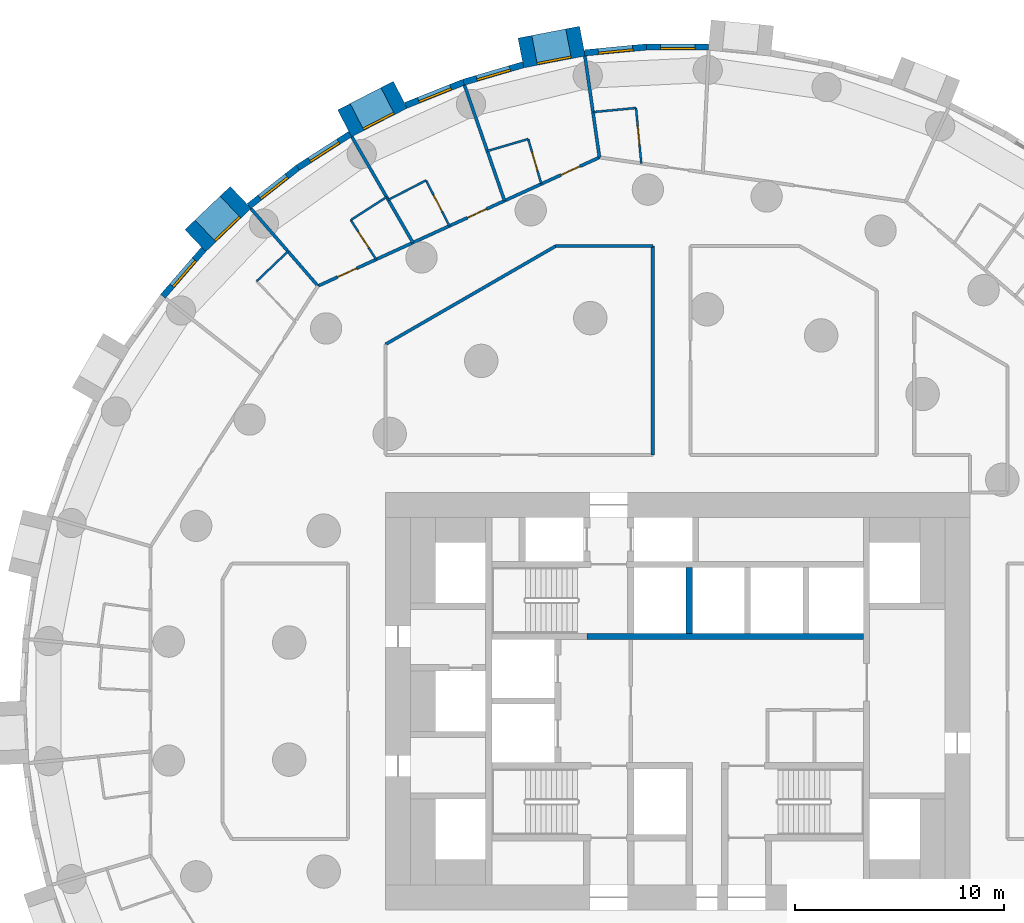
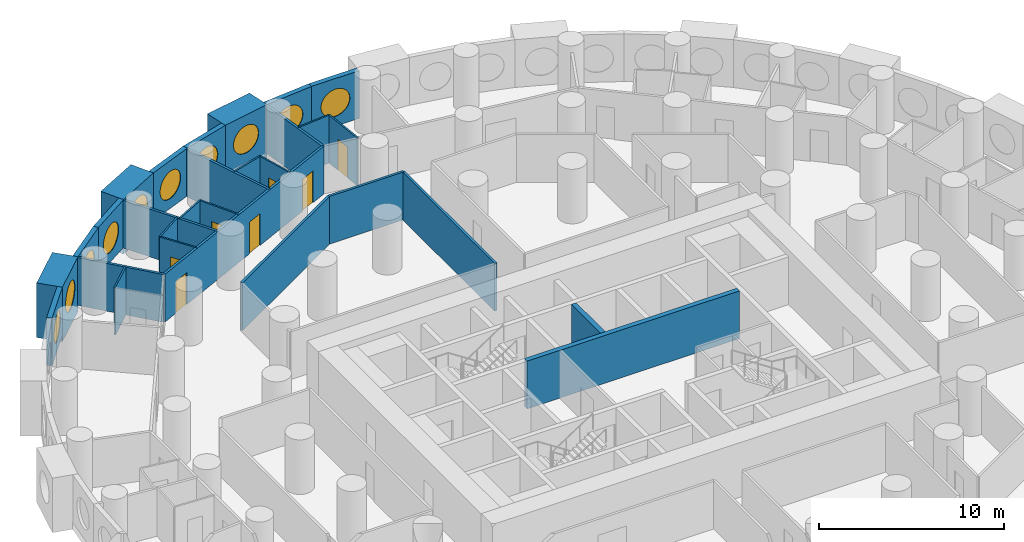
# One storey, part 8 of 12: 29 walls, 10 windows, 7 doors, 17 openings.
"""IFC4 building model written with IfcOpenShell, lengths in metres."""

from ifc_helpers import new_model, si_unit, direction, frame, frame_2d, origin, origin_2d, place, context, subcontext, project, spatial, rectangle, circle, extrude, material, layer, layer_set, type_object, element, fill, save


model = new_model("IFC4")

# Units and contexts
model_context = context("Model", 3, precision=1e-05, world=origin(), true_north=direction((0.0, 1.0)))
body_context = subcontext(model_context, "Body", "Model", "MODEL_VIEW")
ifc_project = project(units=[si_unit("LENGTHUNIT", "METRE"), si_unit("AREAUNIT", "SQUARE_METRE"), si_unit("VOLUMEUNIT", "CUBIC_METRE"), si_unit("PLANEANGLEUNIT", "RADIAN"), si_unit("MASSUNIT", "GRAM", prefix="KILO")], contexts=[model_context])

# Site, building, storey
site_placement = place(None, origin())
site = spatial("IfcSite", under=ifc_project, at=site_placement, CompositionType="ELEMENT")
building_placement = place(site_placement, origin())
building = spatial("IfcBuilding", under=site, at=building_placement, Name="Tracery Tower", CompositionType="ELEMENT")
storey_placement = place(building_placement, frame((0.0, 0.0, 35.39990234375)))
storey = spatial("IfcBuildingStorey", under=building, at=storey_placement, Name="L07", CompositionType="ELEMENT", Elevation=35.39990234375)

# Wall, opening, window
ifc_material_1 = material(Name="Precast concrete C50/60", Category="concrete")
ifc_layer_1 = layer(ifc_material_1, 1.449951171875)
ifc_layer_set_1 = layer_set([ifc_layer_1], Name="Deep-set bay unit 3000 x 3600, slab edge 450")
wall_type_1 = type_object("IfcWallType", Name="Deep-set bay unit 3000 x 3600, slab edge 450", PredefinedType="ELEMENTEDWALL", material=ifc_layer_set_1)
wall_1_placement = place(storey_placement, frame((-4.56689453125, 31.62109375, -0.449951171875), z_axis=(0.0, 0.0, 1.0), x_axis=(-0.981921602273, -0.189288052949, 0.0)))
wall_1 = element("IfcWall", 1, at=wall_1_placement, inside=storey, type_object=wall_type_1, Name="Deep-set bay unit 19 at L07", PredefinedType="ELEMENTEDWALL", context=body_context, shape_type="SweptSolid", body=[
    extrude(rectangle(XDim=3.0, YDim=1.449951171875, at=frame_2d((1.5, 0.0))), origin(), (0.0, 0.0, 1.0), 3.60009765625),
])
opening_1_placement = place(wall_1_placement, frame((1.5, 0.0, 2.0)))
opening_1 = element("IfcOpeningElement", 2, at=opening_1_placement, cuts=wall_1, Name="Opening WN1", PredefinedType="OPENING", context=body_context, shape_type="SweptSolid", body=[
    extrude(circle(Radius=0.9000244140625, at=origin_2d()), frame((0.0, 0.73486328125, 0.0), z_axis=(0.0, -1.0, 0.0), x_axis=(1.0, 0.0, 0.0)), (0.0, 0.0, 1.0), 1.469970703125),
])
ifc_material_2 = material(Name="Aluminium frame with tinted double glazing", Category="aluminium")
window_type = type_object("IfcWindowType", Name="Round window 1800", PartitioningType="SINGLE_PANEL", PredefinedType="WINDOW", material=ifc_material_2)
window_1_placement = place(opening_1_placement, origin())
window_1 = element("IfcWindow", 3, at=window_1_placement, inside=storey, type_object=window_type, Name="Round window 19 at L07", OverallHeight=1.800048828125, OverallWidth=1.800048828125, PartitioningType="SINGLE_PANEL", PredefinedType="WINDOW", context=body_context, shape_type="SweptSolid", body=[
    extrude(circle(Radius=0.9000244140625, at=origin_2d()), frame((0.0, 0.69482421875, 0.0), z_axis=(0.0, -1.0, 0.0), x_axis=(1.0, 0.0, 0.0)), (0.0, 0.0, 1.0), 0.10009765625),
])
fill(opening_1, window_1)

wall_2_placement = place(storey_placement, frame((-13.29052734375, 29.053466796875, -0.449951171875), z_axis=(0.0, 0.0, 1.0), x_axis=(-0.888858064689, -0.458182650083, 0.0)))
wall_2 = element("IfcWall", 4, at=wall_2_placement, inside=storey, type_object=wall_type_1, Name="Deep-set bay unit 22 at L07", PredefinedType="ELEMENTEDWALL", context=body_context, shape_type="SweptSolid", body=[
    extrude(rectangle(XDim=3.0, YDim=1.449951171875, at=frame_2d((1.5, 0.0))), origin(), (0.0, 0.0, 1.0), 3.60009765625),
])
opening_2_placement = place(wall_2_placement, frame((1.5, 0.0, 2.0)))
opening_2 = element("IfcOpeningElement", 5, at=opening_2_placement, cuts=wall_2, Name="Opening WN1", PredefinedType="OPENING", context=body_context, shape_type="SweptSolid", body=[
    extrude(circle(Radius=0.9000244140625, at=origin_2d()), frame((0.0, 0.73486328125, 0.0), z_axis=(0.0, -1.0, 0.0), x_axis=(1.0, 0.0, 0.0)), (0.0, 0.0, 1.0), 1.469970703125),
])
window_2_placement = place(opening_2_placement, origin())
window_2 = element("IfcWindow", 6, at=window_2_placement, inside=storey, type_object=window_type, Name="Round window 22 at L07", OverallHeight=1.800048828125, OverallWidth=1.800048828125, PartitioningType="SINGLE_PANEL", PredefinedType="WINDOW", context=body_context, shape_type="SweptSolid", body=[
    extrude(circle(Radius=0.9000244140625, at=origin_2d()), frame((0.0, 0.69482421875, 0.0), z_axis=(0.0, -1.0, 0.0), x_axis=(1.0, 0.0, 0.0)), (0.0, 0.0, 1.0), 0.10009765625),
])
fill(opening_2, window_2)

wall_3_placement = place(storey_placement, frame((-20.9375, 24.13232421875, -0.449951171875), z_axis=(0.0, 0.0, 1.0), x_axis=(-0.723712023899, -0.690102098579, 0.0)))
wall_3 = element("IfcWall", 7, at=wall_3_placement, inside=storey, type_object=wall_type_1, Name="Deep-set bay unit 25 at L07", PredefinedType="ELEMENTEDWALL", context=body_context, shape_type="SweptSolid", body=[
    extrude(rectangle(XDim=3.0, YDim=1.449951171875, at=frame_2d((1.5, 0.0))), origin(), (0.0, 0.0, 1.0), 3.60009765625),
])
opening_3_placement = place(wall_3_placement, frame((1.5, 0.0, 2.0)))
opening_3 = element("IfcOpeningElement", 8, at=opening_3_placement, cuts=wall_3, Name="Opening WN1", PredefinedType="OPENING", context=body_context, shape_type="SweptSolid", body=[
    extrude(circle(Radius=0.9000244140625, at=origin_2d()), frame((0.0, 0.73486328125, 0.0), z_axis=(0.0, -1.0, 0.0), x_axis=(1.0, 0.0, 0.0)), (0.0, 0.0, 1.0), 1.469970703125),
])
window_3_placement = place(opening_3_placement, origin())
window_3 = element("IfcWindow", 9, at=window_3_placement, inside=storey, type_object=window_type, Name="Round window 25 at L07", OverallHeight=1.800048828125, OverallWidth=1.800048828125, PartitioningType="SINGLE_PANEL", PredefinedType="WINDOW", context=body_context, shape_type="SweptSolid", body=[
    extrude(circle(Radius=0.9000244140625, at=origin_2d()), frame((0.0, 0.69482421875, 0.0), z_axis=(0.0, -1.0, 0.0), x_axis=(1.0, 0.0, 0.0)), (0.0, 0.0, 1.0), 0.10009765625),
])
fill(opening_3, window_3)

ifc_material_3 = material(Name="Precast concrete C50/60", Category="concrete")
ifc_layer_2 = layer(ifc_material_3, 0.300048828125)
ifc_layer_set_2 = layer_set([ifc_layer_2], Name="Facade panel 3000 x 3150")
wall_type_2 = type_object("IfcWallType", Name="Facade panel 3000 x 3150", PredefinedType="SOLIDWALL", material=ifc_layer_set_2)
wall_4_placement = place(storey_placement, frame((1.48681640625, 31.3388671875, 0.0), z_axis=(0.0, 0.0, 1.0), x_axis=(-1.0, 0.0, 0.0)))
wall_4 = element("IfcWall", 10, at=wall_4_placement, inside=storey, type_object=wall_type_2, Name="Facade panel 17 at L07", PredefinedType="SOLIDWALL", context=body_context, shape_type="SweptSolid", body=[
    extrude(rectangle(XDim=2.979736328125, YDim=0.300048828125, at=frame_2d((1.48974609375, 0.0))), origin(), (0.0, 0.0, 1.0), 3.150146484375),
])
opening_4_placement = place(wall_4_placement, frame((1.48974609375, 0.0, 1.5498046875)))
opening_4 = element("IfcOpeningElement", 11, at=opening_4_placement, cuts=wall_4, Name="Opening WN1", PredefinedType="OPENING", context=body_context, shape_type="SweptSolid", body=[
    extrude(circle(Radius=0.9000244140625, at=origin_2d()), frame((0.0, 0.159912109375, 0.0), z_axis=(0.0, -1.0, 0.0), x_axis=(1.0, 0.0, 0.0)), (0.0, 0.0, 1.0), 0.320068359375),
])
window_4_placement = place(opening_4_placement, origin())
window_4 = element("IfcWindow", 12, at=window_4_placement, inside=storey, type_object=window_type, Name="Round window 17 at L07", OverallHeight=1.800048828125, OverallWidth=1.800048828125, PartitioningType="SINGLE_PANEL", PredefinedType="WINDOW", context=body_context, shape_type="SweptSolid", body=[
    extrude(circle(Radius=0.9000244140625, at=origin_2d()), frame((0.0, 0.1201171875, 0.0), z_axis=(0.0, -1.0, 0.0), x_axis=(1.0, 0.0, 0.0)), (0.0, 0.0, 1.0), 0.10009765625),
])
fill(opening_4, window_4)

wall_5_placement = place(storey_placement, frame((-1.492919921875, 31.3388671875, 0.0), z_axis=(0.0, 0.0, 1.0), x_axis=(-0.995472611385, -0.095048829468, 0.0)))
wall_5 = element("IfcWall", 13, at=wall_5_placement, inside=storey, type_object=wall_type_2, Name="Facade panel 18 at L07", PredefinedType="SOLIDWALL", context=body_context, shape_type="SweptSolid", body=[
    extrude(rectangle(XDim=2.9794921875, YDim=0.300048828125, at=frame_2d((1.48974609375, 0.0))), origin(), (0.0, 0.0, 1.0), 3.150146484375),
])
opening_5_placement = place(wall_5_placement, frame((1.48974609375, 0.0, 1.5498046875)))
opening_5 = element("IfcOpeningElement", 14, at=opening_5_placement, cuts=wall_5, Name="Opening WN1", PredefinedType="OPENING", context=body_context, shape_type="SweptSolid", body=[
    extrude(circle(Radius=0.9000244140625, at=origin_2d()), frame((0.0, 0.159912109375, 0.0), z_axis=(0.0, -1.0, 0.0), x_axis=(1.0, 0.0, 0.0)), (0.0, 0.0, 1.0), 0.320068359375),
])
window_5_placement = place(opening_5_placement, origin())
window_5 = element("IfcWindow", 15, at=window_5_placement, inside=storey, type_object=window_type, Name="Round window 18 at L07", OverallHeight=1.800048828125, OverallWidth=1.800048828125, PartitioningType="SINGLE_PANEL", PredefinedType="WINDOW", context=body_context, shape_type="SweptSolid", body=[
    extrude(circle(Radius=0.9000244140625, at=origin_2d()), frame((0.0, 0.1201171875, 0.0), z_axis=(0.0, -1.0, 0.0), x_axis=(1.0, 0.0, 0.0)), (0.0, 0.0, 1.0), 0.10009765625),
])
fill(opening_5, window_5)

wall_6_placement = place(storey_placement, frame((-7.402587890625, 30.48828125, 0.0), z_axis=(0.0, 0.0, 1.0), x_axis=(-0.959501085144, -0.281704930036, 0.0)))
wall_6 = element("IfcWall", 16, at=wall_6_placement, inside=storey, type_object=wall_type_2, Name="Facade panel 20 at L07", PredefinedType="SOLIDWALL", context=body_context, shape_type="SweptSolid", body=[
    extrude(rectangle(XDim=2.9794921875, YDim=0.300048828125, at=frame_2d((1.48974609375, 0.0))), origin(), (0.0, 0.0, 1.0), 3.150146484375),
])
opening_6_placement = place(wall_6_placement, frame((1.48974609375, 0.0, 1.5498046875)))
opening_6 = element("IfcOpeningElement", 17, at=opening_6_placement, cuts=wall_6, Name="Opening WN1", PredefinedType="OPENING", context=body_context, shape_type="SweptSolid", body=[
    extrude(circle(Radius=0.9000244140625, at=origin_2d()), frame((0.0, 0.159912109375, 0.0), z_axis=(0.0, -1.0, 0.0), x_axis=(1.0, 0.0, 0.0)), (0.0, 0.0, 1.0), 0.320068359375),
])
window_6_placement = place(opening_6_placement, origin())
window_6 = element("IfcWindow", 18, at=window_6_placement, inside=storey, type_object=window_type, Name="Round window 20 at L07", OverallHeight=1.800048828125, OverallWidth=1.800048828125, PartitioningType="SINGLE_PANEL", PredefinedType="WINDOW", context=body_context, shape_type="SweptSolid", body=[
    extrude(circle(Radius=0.9000244140625, at=origin_2d()), frame((0.0, 0.1201171875, 0.0), z_axis=(0.0, -1.0, 0.0), x_axis=(1.0, 0.0, 0.0)), (0.0, 0.0, 1.0), 0.10009765625),
])
fill(opening_6, window_6)

wall_7_placement = place(storey_placement, frame((-10.261474609375, 29.64892578125, 0.0), z_axis=(0.0, 0.0, 1.0), x_axis=(-0.928374947, -0.371644935098, 0.0)))
wall_7 = element("IfcWall", 19, at=wall_7_placement, inside=storey, type_object=wall_type_2, Name="Facade panel 21 at L07", PredefinedType="SOLIDWALL", context=body_context, shape_type="SweptSolid", body=[
    extrude(rectangle(XDim=2.979736328125, YDim=0.300048828125, at=frame_2d((1.48974609375, 0.0))), origin(), (0.0, 0.0, 1.0), 3.150146484375),
])
opening_7_placement = place(wall_7_placement, frame((1.48974609375, 0.0, 1.5498046875)))
opening_7 = element("IfcOpeningElement", 20, at=opening_7_placement, cuts=wall_7, Name="Opening WN1", PredefinedType="OPENING", context=body_context, shape_type="SweptSolid", body=[
    extrude(circle(Radius=0.9000244140625, at=origin_2d()), frame((0.0, 0.159912109375, 0.0), z_axis=(0.0, -1.0, 0.0), x_axis=(1.0, 0.0, 0.0)), (0.0, 0.0, 1.0), 0.320068359375),
])
window_7_placement = place(opening_7_placement, origin())
window_7 = element("IfcWindow", 21, at=window_7_placement, inside=storey, type_object=window_type, Name="Round window 21 at L07", OverallHeight=1.800048828125, OverallWidth=1.800048828125, PartitioningType="SINGLE_PANEL", PredefinedType="WINDOW", context=body_context, shape_type="SweptSolid", body=[
    extrude(circle(Radius=0.9000244140625, at=origin_2d()), frame((0.0, 0.1201171875, 0.0), z_axis=(0.0, -1.0, 0.0), x_axis=(1.0, 0.0, 0.0)), (0.0, 0.0, 1.0), 0.10009765625),
])
fill(opening_7, window_7)

wall_8_placement = place(storey_placement, frame((-15.6923828125, 27.167724609375, 0.0), z_axis=(0.0, 0.0, 1.0), x_axis=(-0.841260995538, -0.54062920508, 0.0)))
wall_8 = element("IfcWall", 22, at=wall_8_placement, inside=storey, type_object=wall_type_2, Name="Facade panel 23 at L07", PredefinedType="SOLIDWALL", context=body_context, shape_type="SweptSolid", body=[
    extrude(rectangle(XDim=2.9794921875, YDim=0.300048828125, at=frame_2d((1.48974609375, 0.0))), origin(), (0.0, 0.0, 1.0), 3.150146484375),
])
opening_8_placement = place(wall_8_placement, frame((1.48974609375, 0.0, 1.5498046875)))
opening_8 = element("IfcOpeningElement", 23, at=opening_8_placement, cuts=wall_8, Name="Opening WN1", PredefinedType="OPENING", context=body_context, shape_type="SweptSolid", body=[
    extrude(circle(Radius=0.9000244140625, at=origin_2d()), frame((0.0, 0.159912109375, 0.0), z_axis=(0.0, -1.0, 0.0), x_axis=(1.0, 0.0, 0.0)), (0.0, 0.0, 1.0), 0.320068359375),
])
window_8_placement = place(opening_8_placement, origin())
window_8 = element("IfcWindow", 24, at=window_8_placement, inside=storey, type_object=window_type, Name="Round window 23 at L07", OverallHeight=1.800048828125, OverallWidth=1.800048828125, PartitioningType="SINGLE_PANEL", PredefinedType="WINDOW", context=body_context, shape_type="SweptSolid", body=[
    extrude(circle(Radius=0.9000244140625, at=origin_2d()), frame((0.0, 0.1201171875, 0.0), z_axis=(0.0, -1.0, 0.0), x_axis=(1.0, 0.0, 0.0)), (0.0, 0.0, 1.0), 0.10009765625),
])
fill(opening_8, window_8)

wall_9_placement = place(storey_placement, frame((-18.198974609375, 25.556884765625, 0.0), z_axis=(0.0, 0.0, 1.0), x_axis=(-0.786053834673, -0.618158045322, 0.0)))
wall_9 = element("IfcWall", 25, at=wall_9_placement, inside=storey, type_object=wall_type_2, Name="Facade panel 24 at L07", PredefinedType="SOLIDWALL", context=body_context, shape_type="SweptSolid", body=[
    extrude(rectangle(XDim=2.9794921875, YDim=0.300048828125, at=frame_2d((1.48974609375, 0.0))), origin(), (0.0, 0.0, 1.0), 3.150146484375),
])
opening_9_placement = place(wall_9_placement, frame((1.48974609375, 0.0, 1.5498046875)))
opening_9 = element("IfcOpeningElement", 26, at=opening_9_placement, cuts=wall_9, Name="Opening WN1", PredefinedType="OPENING", context=body_context, shape_type="SweptSolid", body=[
    extrude(circle(Radius=0.9000244140625, at=origin_2d()), frame((0.0, 0.159912109375, 0.0), z_axis=(0.0, -1.0, 0.0), x_axis=(1.0, 0.0, 0.0)), (0.0, 0.0, 1.0), 0.320068359375),
])
window_9_placement = place(opening_9_placement, origin())
window_9 = element("IfcWindow", 27, at=window_9_placement, inside=storey, type_object=window_type, Name="Round window 24 at L07", OverallHeight=1.800048828125, OverallWidth=1.800048828125, PartitioningType="SINGLE_PANEL", PredefinedType="WINDOW", context=body_context, shape_type="SweptSolid", body=[
    extrude(circle(Radius=0.9000244140625, at=origin_2d()), frame((0.0, 0.1201171875, 0.0), z_axis=(0.0, -1.0, 0.0), x_axis=(1.0, 0.0, 0.0)), (0.0, 0.0, 1.0), 0.10009765625),
])
fill(opening_9, window_9)

wall_10_placement = place(storey_placement, frame((-22.710693359375, 21.646240234375, 0.0), z_axis=(0.0, 0.0, 1.0), x_axis=(-0.654830712471, -0.755775587066, 0.0)))
wall_10 = element("IfcWall", 28, at=wall_10_placement, inside=storey, type_object=wall_type_2, Name="Facade panel 26 at L07", PredefinedType="SOLIDWALL", context=body_context, shape_type="SweptSolid", body=[
    extrude(rectangle(XDim=2.979736328125, YDim=0.300048828125, at=frame_2d((1.48974609375, 0.0))), origin(), (0.0, 0.0, 1.0), 3.150146484375),
])
opening_10_placement = place(wall_10_placement, frame((1.48974609375, 0.0, 1.5498046875)))
opening_10 = element("IfcOpeningElement", 29, at=opening_10_placement, cuts=wall_10, Name="Opening WN1", PredefinedType="OPENING", context=body_context, shape_type="SweptSolid", body=[
    extrude(circle(Radius=0.9000244140625, at=origin_2d()), frame((0.0, 0.159912109375, 0.0), z_axis=(0.0, -1.0, 0.0), x_axis=(1.0, 0.0, 0.0)), (0.0, 0.0, 1.0), 0.320068359375),
])
window_10_placement = place(opening_10_placement, origin())
window_10 = element("IfcWindow", 30, at=window_10_placement, inside=storey, type_object=window_type, Name="Round window 26 at L07", OverallHeight=1.800048828125, OverallWidth=1.800048828125, PartitioningType="SINGLE_PANEL", PredefinedType="WINDOW", context=body_context, shape_type="SweptSolid", body=[
    extrude(circle(Radius=0.9000244140625, at=origin_2d()), frame((0.0, 0.1201171875, 0.0), z_axis=(0.0, -1.0, 0.0), x_axis=(1.0, 0.0, 0.0)), (0.0, 0.0, 1.0), 0.10009765625),
])
fill(opening_10, window_10)

# Wall, opening, door
ifc_material_4 = material(Name="Plasterboard on steel studs", Category="steel")
ifc_layer_3 = layer(ifc_material_4, 0.10009765625)
ifc_layer_set_3 = layer_set([ifc_layer_3], Name="Partition 100 wet wall")
wall_type_3 = type_object("IfcWallType", Name="Partition 100 wet wall", PredefinedType="PARTITIONING", material=ifc_layer_set_3)
wall_11_placement = place(storey_placement, frame((-1.99609375, 28.41796875, 0.0), z_axis=(0.0, 0.0, 1.0), x_axis=(0.094925726797, -0.995484357683, 0.0)))
wall_11 = element("IfcWall", 31, at=wall_11_placement, inside=storey, type_object=wall_type_3, Name="Wet wall RA1-078", PredefinedType="PARTITIONING", context=body_context, shape_type="SweptSolid", body=[
    extrude(rectangle(XDim=2.6669921875, YDim=0.10009765625, at=frame_2d((1.33349609375, 0.0))), origin(), (0.0, 0.0, 1.0), 3.150146484375),
])
opening_11_placement = place(wall_11_placement, frame((0.883056640625, 0.0, 0.0)))
opening_11 = element("IfcOpeningElement", 32, at=opening_11_placement, cuts=wall_11, Name="Opening RA1-22", PredefinedType="OPENING", context=body_context, shape_type="SweptSolid", body=[
    extrude(rectangle(XDim=0.89990234375, YDim=2.0400390625, at=frame_2d((0.449951171875, 1.02001953125))), frame((0.0, 0.050048828125, 0.0), z_axis=(0.0, -1.0, 0.0), x_axis=(1.0, 0.0, 0.0)), (0.0, 0.0, 1.0), 0.10009765625),
])
ifc_material_5 = material(Name="Timber door leaf", Category="wood")
door_type_1 = type_object("IfcDoorType", Name="Door en-suite 900", OperationType="NOTDEFINED", PredefinedType="DOOR", material=ifc_material_5)
door_1_placement = place(opening_11_placement, origin())
door_1 = element("IfcDoor", 33, at=door_1_placement, inside=storey, type_object=door_type_1, Name="En-suite door RA1-22", OperationType="SINGLE_SWING_RIGHT", OverallHeight=2.0400390625, OverallWidth=0.89990234375, PredefinedType="DOOR", context=body_context, shape_type="SweptSolid", body=[
    extrude(rectangle(XDim=0.89990234375, YDim=2.0400390625, at=frame_2d((0.449951171875, 1.02001953125))), frame((0.0, 0.02490234375, 0.0), z_axis=(0.0, -1.0, 0.0), x_axis=(1.0, 0.0, 0.0)), (0.0, 0.0, 1.0), 0.050048828125),
])
fill(opening_11, door_1)

# Wall
wall_12_placement = place(storey_placement, frame((-4.05810546875, 28.220947265625, 0.0), z_axis=(0.0, 0.0, 1.0), x_axis=(0.995466291052, 0.095115000814, 0.0)))
element("IfcWall", 34, at=wall_12_placement, inside=storey, type_object=wall_type_3, Name="Wet wall RA1-079", PredefinedType="PARTITIONING", context=body_context, shape_type="SweptSolid", body=[
    extrude(rectangle(XDim=2.0712890625, YDim=0.10009765625, at=frame_2d((1.03564453125, 0.0))), origin(), (0.0, 0.0, 1.0), 3.150146484375),
])

# Wall, opening, door
wall_13_placement = place(storey_placement, frame((-7.1630859375, 26.929931640625, 0.0), z_axis=(0.0, 0.0, 1.0), x_axis=(0.281948165188, -0.959429638977, 0.0)))
wall_13 = element("IfcWall", 35, at=wall_13_placement, inside=storey, type_object=wall_type_3, Name="Wet wall RA1-081", PredefinedType="PARTITIONING", context=body_context, shape_type="SweptSolid", body=[
    extrude(rectangle(XDim=2.241943359375, YDim=0.10009765625, at=frame_2d((1.12109375, 0.0))), origin(), (0.0, 0.0, 1.0), 3.150146484375),
])
opening_12_placement = place(wall_13_placement, frame((0.6708984375, 0.0, 0.0)))
opening_12 = element("IfcOpeningElement", 36, at=opening_12_placement, cuts=wall_13, Name="Opening RA1-24", PredefinedType="OPENING", context=body_context, shape_type="SweptSolid", body=[
    extrude(rectangle(XDim=0.89990234375, YDim=2.0400390625, at=frame_2d((0.449951171875, 1.02001953125))), frame((0.0, 0.050048828125, 0.0), z_axis=(0.0, -1.0, 0.0), x_axis=(1.0, 0.0, 0.0)), (0.0, 0.0, 1.0), 0.10009765625),
])
door_2_placement = place(opening_12_placement, origin())
door_2 = element("IfcDoor", 37, at=door_2_placement, inside=storey, type_object=door_type_1, Name="En-suite door RA1-24", OperationType="SINGLE_SWING_RIGHT", OverallHeight=2.0400390625, OverallWidth=0.89990234375, PredefinedType="DOOR", context=body_context, shape_type="SweptSolid", body=[
    extrude(rectangle(XDim=0.89990234375, YDim=2.0400390625, at=frame_2d((0.449951171875, 1.02001953125))), frame((0.0, 0.02490234375, 0.0), z_axis=(0.0, -1.0, 0.0), x_axis=(1.0, 0.0, 0.0)), (0.0, 0.0, 1.0), 0.050048828125),
])
fill(opening_12, door_2)

# Wall
wall_14_placement = place(storey_placement, frame((-9.12109375, 26.35498046875, 0.0), z_axis=(0.0, 0.0, 1.0), x_axis=(0.95948923736, 0.281745281045, 0.0)))
element("IfcWall", 38, at=wall_14_placement, inside=storey, type_object=wall_type_3, Name="Wet wall RA1-082", PredefinedType="PARTITIONING", context=body_context, shape_type="SweptSolid", body=[
    extrude(rectangle(XDim=2.040771484375, YDim=0.10009765625, at=frame_2d((1.0205078125, 0.0))), origin(), (0.0, 0.0, 1.0), 3.150146484375),
])

# Wall, opening, door
wall_15_placement = place(storey_placement, frame((-12.05810546875, 24.947998046875, 0.0), z_axis=(0.0, 0.0, 1.0), x_axis=(0.458287904527, -0.888803800939, 0.0)))
wall_15 = element("IfcWall", 39, at=wall_15_placement, inside=storey, type_object=wall_type_3, Name="Wet wall RA1-084", PredefinedType="PARTITIONING", context=body_context, shape_type="SweptSolid", body=[
    extrude(rectangle(XDim=2.45263671875, YDim=0.10009765625, at=frame_2d((1.226318359375, 0.0))), origin(), (0.0, 0.0, 1.0), 3.150146484375),
])
opening_13_placement = place(wall_15_placement, frame((0.776611328125, 0.0, 0.0)))
opening_13 = element("IfcOpeningElement", 40, at=opening_13_placement, cuts=wall_15, Name="Opening RA1-26", PredefinedType="OPENING", context=body_context, shape_type="SweptSolid", body=[
    extrude(rectangle(XDim=0.89990234375, YDim=2.0400390625, at=frame_2d((0.449951171875, 1.02001953125))), frame((0.0, 0.050048828125, 0.0), z_axis=(0.0, -1.0, 0.0), x_axis=(1.0, 0.0, 0.0)), (0.0, 0.0, 1.0), 0.10009765625),
])
door_3_placement = place(opening_13_placement, origin())
door_3 = element("IfcDoor", 41, at=door_3_placement, inside=storey, type_object=door_type_1, Name="En-suite door RA1-26", OperationType="SINGLE_SWING_LEFT", OverallHeight=2.0400390625, OverallWidth=0.89990234375, PredefinedType="DOOR", context=body_context, shape_type="SweptSolid", body=[
    extrude(rectangle(XDim=0.89990234375, YDim=2.0400390625, at=frame_2d((0.449951171875, 1.02001953125))), frame((0.0, 0.02490234375, 0.0), z_axis=(0.0, -1.0, 0.0), x_axis=(1.0, 0.0, 0.0)), (0.0, 0.0, 1.0), 0.050048828125),
])
fill(opening_13, door_3)

# Walls
wall_16_placement = place(storey_placement, frame((-13.865966796875, 24.01611328125, 0.0), z_axis=(0.0, 0.0, 1.0), x_axis=(0.888861985525, 0.45817504372, 0.0)))
element("IfcWall", 42, at=wall_16_placement, inside=storey, type_object=wall_type_3, Name="Wet wall RA1-085", PredefinedType="PARTITIONING", context=body_context, shape_type="SweptSolid", body=[
    extrude(rectangle(XDim=2.033935546875, YDim=0.10009765625, at=frame_2d((1.01708984375, 0.0))), origin(), (0.0, 0.0, 1.0), 3.150146484375),
])
wall_17_placement = place(storey_placement, frame((-15.660888671875, 23.048095703125, 0.0), z_axis=(0.0, 0.0, 1.0), x_axis=(0.84110074148, 0.540878491606, 0.0)))
element("IfcWall", 43, at=wall_17_placement, inside=storey, type_object=wall_type_3, Name="Wet wall RA1-087", PredefinedType="PARTITIONING", context=body_context, shape_type="SweptSolid", body=[
    extrude(rectangle(XDim=2.041015625, YDim=0.10009765625, at=frame_2d((1.0205078125, 0.0))), origin(), (0.0, 0.0, 1.0), 3.150146484375),
])

# Wall, opening, door
wall_18_placement = place(storey_placement, frame((-15.660888671875, 23.048095703125, 0.0), z_axis=(0.0, 0.0, 1.0), x_axis=(0.540796133976, -0.841153696702, 0.0)))
wall_18 = element("IfcWall", 44, at=wall_18_placement, inside=storey, type_object=wall_type_3, Name="Wet wall RA1-088", PredefinedType="PARTITIONING", context=body_context, shape_type="SweptSolid", body=[
    extrude(rectangle(XDim=2.240966796875, YDim=0.10009765625, at=frame_2d((1.12060546875, 0.0))), origin(), (0.0, 0.0, 1.0), 3.150146484375),
])
opening_14_placement = place(wall_18_placement, frame((0.6708984375, 0.0, 0.0)))
opening_14 = element("IfcOpeningElement", 45, at=opening_14_placement, cuts=wall_18, Name="Opening RA1-28", PredefinedType="OPENING", context=body_context, shape_type="SweptSolid", body=[
    extrude(rectangle(XDim=0.89990234375, YDim=2.0400390625, at=frame_2d((0.449951171875, 1.02001953125))), frame((0.0, 0.050048828125, 0.0), z_axis=(0.0, -1.0, 0.0), x_axis=(1.0, 0.0, 0.0)), (0.0, 0.0, 1.0), 0.10009765625),
])
door_4_placement = place(opening_14_placement, origin())
door_4 = element("IfcDoor", 46, at=door_4_placement, inside=storey, type_object=door_type_1, Name="En-suite door RA1-28", OperationType="SINGLE_SWING_RIGHT", OverallHeight=2.0400390625, OverallWidth=0.89990234375, PredefinedType="DOOR", context=body_context, shape_type="SweptSolid", body=[
    extrude(rectangle(XDim=0.89990234375, YDim=2.0400390625, at=frame_2d((0.449951171875, 1.02001953125))), frame((0.0, 0.02490234375, 0.0), z_axis=(0.0, -1.0, 0.0), x_axis=(1.0, 0.0, 0.0)), (0.0, 0.0, 1.0), 0.050048828125),
])
fill(opening_14, door_4)

# Walls
wall_19_placement = place(storey_placement, frame((-20.1689453125, 20.117919921875, 0.0), z_axis=(0.0, 0.0, 1.0), x_axis=(0.723537557066, 0.690285016145, 0.0)))
element("IfcWall", 47, at=wall_19_placement, inside=storey, type_object=wall_type_3, Name="Wet wall RA1-090", PredefinedType="PARTITIONING", context=body_context, shape_type="SweptSolid", body=[
    extrude(rectangle(XDim=2.070556640625, YDim=0.10009765625, at=frame_2d((1.03515625, 0.0))), origin(), (0.0, 0.0, 1.0), 3.150146484375),
])
ifc_material_6 = material(Name="Plasterboard on steel studs", Category="steel")
ifc_layer_4 = layer(ifc_material_6, 0.14990234375)
ifc_layer_set_4 = layer_set([ifc_layer_4], Name="Partition 150 acoustic unit wall")
wall_type_4 = type_object("IfcWallType", Name="Partition 150 acoustic unit wall", PredefinedType="PARTITIONING", material=ifc_layer_set_4)
wall_20_placement = place(storey_placement, frame((-4.444091796875, 30.906005859375, 0.0), z_axis=(0.0, 0.0, 1.0), x_axis=(0.142306296561, -0.989822669956, 0.0)))
element("IfcWall", 48, at=wall_20_placement, inside=storey, type_object=wall_type_4, Name="Unit wall RA1-080", PredefinedType="PARTITIONING", context=body_context, shape_type="SweptSolid", body=[
    extrude(rectangle(XDim=4.90478515625, YDim=0.14990234375, at=frame_2d((2.452392578125, 0.0))), origin(), (0.0, 0.0, 1.0), 3.150146484375),
])
wall_21_placement = place(storey_placement, frame((-10.2119140625, 29.507080078125, 0.0), z_axis=(0.0, 0.0, 1.0), x_axis=(0.327061884856, -0.945002922469, 0.0)))
element("IfcWall", 49, at=wall_21_placement, inside=storey, type_object=wall_type_4, Name="Unit wall RA1-083", PredefinedType="PARTITIONING", context=body_context, shape_type="SweptSolid", body=[
    extrude(rectangle(XDim=5.856689453125, YDim=0.14990234375, at=frame_2d((2.92822265625, 0.0))), origin(), (0.0, 0.0, 1.0), 3.150146484375),
])
wall_22_placement = place(storey_placement, frame((-15.612060546875, 27.041015625, 0.0), z_axis=(0.0, 0.0, 1.0), x_axis=(0.499824700643, -0.866126589262, 0.0)))
element("IfcWall", 50, at=wall_22_placement, inside=storey, type_object=wall_type_4, Name="Unit wall RA1-086", PredefinedType="PARTITIONING", context=body_context, shape_type="SweptSolid", body=[
    extrude(rectangle(XDim=5.8564453125, YDim=0.14990234375, at=frame_2d((2.92822265625, 0.0))), origin(), (0.0, 0.0, 1.0), 3.150146484375),
])
wall_23_placement = place(storey_placement, frame((-20.447998046875, 23.597900390625, 0.0), z_axis=(0.0, 0.0, 1.0), x_axis=(0.654900226821, -0.755715351776, 0.0)))
element("IfcWall", 51, at=wall_23_placement, inside=storey, type_object=wall_type_4, Name="Unit wall RA1-089", PredefinedType="PARTITIONING", context=body_context, shape_type="SweptSolid", body=[
    extrude(rectangle(XDim=4.90625, YDim=0.14990234375, at=frame_2d((2.453125, 0.0))), origin(), (0.0, 0.0, 1.0), 3.150146484375),
])
ifc_material_7 = material(Name="Plasterboard on steel studs", Category="steel")
ifc_layer_5 = layer(ifc_material_7, 0.14990234375)
ifc_layer_set_5 = layer_set([ifc_layer_5], Name="Partition 150 corridor wall")
wall_type_5 = type_object("IfcWallType", Name="Partition 150 corridor wall", PredefinedType="PARTITIONING", material=ifc_layer_set_5)
wall_24_placement = place(storey_placement, frame((-1.19189453125, 11.800048828125, 0.0), z_axis=(0.0, 0.0, 1.0), x_axis=(0.0, 1.0, 0.0)))
element("IfcWall", 52, at=wall_24_placement, inside=storey, type_object=wall_type_5, Name="Corridor wall RA1-024", PredefinedType="PARTITIONING", context=body_context, shape_type="SweptSolid", body=[
    extrude(rectangle(XDim=10.001953125, YDim=0.14990234375, at=frame_2d((5.0009765625, 0.0))), origin(), (0.0, 0.0, 1.0), 3.150146484375),
])
wall_25_placement = place(storey_placement, frame((-5.842041015625, 21.802001953125, 0.0), z_axis=(0.0, 0.0, 1.0), x_axis=(1.0, 0.0, 0.0)))
element("IfcWall", 53, at=wall_25_placement, inside=storey, type_object=wall_type_5, Name="Corridor wall RA1-025", PredefinedType="PARTITIONING", context=body_context, shape_type="SweptSolid", body=[
    extrude(rectangle(XDim=4.650146484375, YDim=0.14990234375, at=frame_2d((2.3251953125, 0.0))), origin(), (0.0, 0.0, 1.0), 3.150146484375),
])
wall_26_placement = place(storey_placement, frame((-14.0, 17.092041015625, 0.0), z_axis=(0.0, 0.0, 1.0), x_axis=(0.86602719091, 0.499996904595, 0.0)))
element("IfcWall", 54, at=wall_26_placement, inside=storey, type_object=wall_type_5, Name="Corridor wall RA1-026", PredefinedType="PARTITIONING", context=body_context, shape_type="SweptSolid", body=[
    extrude(rectangle(XDim=9.419921875, YDim=0.14990234375, at=frame_2d((4.7099609375, 0.0))), origin(), (0.0, 0.0, 1.0), 3.150146484375),
])

# Wall, openings, doors
wall_27_placement = place(storey_placement, frame((-17.23388671875, 19.8876953125, 0.0), z_axis=(0.0, 0.0, 1.0), x_axis=(0.90953867323, 0.415619299238, 0.0)))
wall_27 = element("IfcWall", 55, at=wall_27_placement, inside=storey, type_object=wall_type_5, Name="Corridor wall RA1-035", PredefinedType="PARTITIONING", context=body_context, shape_type="SweptSolid", body=[
    extrude(rectangle(XDim=14.829345703125, YDim=0.14990234375, at=frame_2d((7.41455078125, 0.0))), origin(), (0.0, 0.0, 1.0), 3.150146484375),
])
opening_15_placement = place(wall_27_placement, frame((12.797119140625, 0.0, 0.0)))
opening_15 = element("IfcOpeningElement", 56, at=opening_15_placement, cuts=wall_27, Name="Opening RA1-25", PredefinedType="OPENING", context=body_context, shape_type="SweptSolid", body=[
    extrude(rectangle(XDim=1.0, YDim=2.10009765625, at=frame_2d((0.5, 1.050048828125))), frame((0.0, 0.074951171875, 0.0), z_axis=(0.0, -1.0, 0.0), x_axis=(1.0, 0.0, 0.0)), (0.0, 0.0, 1.0), 0.14990234375),
])
opening_16_placement = place(wall_27_placement, frame((7.876708984375, 0.0, 0.0)))
opening_16 = element("IfcOpeningElement", 57, at=opening_16_placement, cuts=wall_27, Name="Opening RA1-27", PredefinedType="OPENING", context=body_context, shape_type="SweptSolid", body=[
    extrude(rectangle(XDim=1.0, YDim=2.10009765625, at=frame_2d((0.5, 1.050048828125))), frame((0.0, 0.074951171875, 0.0), z_axis=(0.0, -1.0, 0.0), x_axis=(1.0, 0.0, 0.0)), (0.0, 0.0, 1.0), 0.14990234375),
])
opening_17_placement = place(wall_27_placement, frame((1.033935546875, 0.0, 0.0)))
opening_17 = element("IfcOpeningElement", 58, at=opening_17_placement, cuts=wall_27, Name="Opening RA1-29", PredefinedType="OPENING", context=body_context, shape_type="SweptSolid", body=[
    extrude(rectangle(XDim=1.0, YDim=2.10009765625, at=frame_2d((0.5, 1.050048828125))), frame((0.0, 0.074951171875, 0.0), z_axis=(0.0, -1.0, 0.0), x_axis=(1.0, 0.0, 0.0)), (0.0, 0.0, 1.0), 0.14990234375),
])
ifc_material_8 = material(Name="Timber door leaf", Category="wood")
door_type_2 = type_object("IfcDoorType", Name="Door unit entrance 1000", OperationType="NOTDEFINED", PredefinedType="DOOR", material=ifc_material_8)
door_5_placement = place(opening_15_placement, origin())
door_5 = element("IfcDoor", 59, at=door_5_placement, inside=storey, type_object=door_type_2, Name="Unit entrance door RA1-25", OperationType="SINGLE_SWING_RIGHT", OverallHeight=2.10009765625, OverallWidth=1.0, PredefinedType="DOOR", context=body_context, shape_type="SweptSolid", body=[
    extrude(rectangle(XDim=1.0, YDim=2.10009765625, at=frame_2d((0.5, 1.050048828125))), frame((0.0, 0.02490234375, 0.0), z_axis=(0.0, -1.0, 0.0), x_axis=(1.0, 0.0, 0.0)), (0.0, 0.0, 1.0), 0.050048828125),
])
fill(opening_15, door_5)
door_6_placement = place(opening_16_placement, origin())
door_6 = element("IfcDoor", 60, at=door_6_placement, inside=storey, type_object=door_type_2, Name="Unit entrance door RA1-27", OperationType="SINGLE_SWING_LEFT", OverallHeight=2.10009765625, OverallWidth=1.0, PredefinedType="DOOR", context=body_context, shape_type="SweptSolid", body=[
    extrude(rectangle(XDim=1.0, YDim=2.10009765625, at=frame_2d((0.5, 1.050048828125))), frame((0.0, 0.02490234375, 0.0), z_axis=(0.0, -1.0, 0.0), x_axis=(1.0, 0.0, 0.0)), (0.0, 0.0, 1.0), 0.050048828125),
])
fill(opening_16, door_6)
door_7_placement = place(opening_17_placement, origin())
door_7 = element("IfcDoor", 61, at=door_7_placement, inside=storey, type_object=door_type_2, Name="Unit entrance door RA1-29", OperationType="SINGLE_SWING_RIGHT", OverallHeight=2.10009765625, OverallWidth=1.0, PredefinedType="DOOR", context=body_context, shape_type="SweptSolid", body=[
    extrude(rectangle(XDim=1.0, YDim=2.10009765625, at=frame_2d((0.5, 1.050048828125))), frame((0.0, 0.02490234375, 0.0), z_axis=(0.0, -1.0, 0.0), x_axis=(1.0, 0.0, 0.0)), (0.0, 0.0, 1.0), 0.050048828125),
])
fill(opening_17, door_7)

# Walls
ifc_material_9 = material(Name="Concrete C60/75", Category="concrete")
ifc_layer_6 = layer(ifc_material_9, 0.300048828125)
ifc_layer_set_6 = layer_set([ifc_layer_6], Name="Shaft wall 300 C60")
wall_type_6 = type_object("IfcWallType", Name="Shaft wall 300 C60", PredefinedType="SOLIDWALL", material=ifc_layer_set_6)
wall_28_placement = place(storey_placement, frame((0.550048828125, 3.25, 0.0), z_axis=(0.0, 0.0, 1.0), x_axis=(0.0, 1.0, 0.0)))
element("IfcWall", 62, at=wall_28_placement, inside=storey, type_object=wall_type_6, Name="L07 HR sep 1", PredefinedType="SOLIDWALL", context=body_context, shape_type="SweptSolid", body=[
    extrude(rectangle(XDim=3.14990234375, YDim=0.300048828125, at=frame_2d((1.574951171875, 0.0))), origin(), (0.0, 0.0, 1.0), 3.150146484375),
])
ifc_material_10 = material(Name="Concrete C60/75", Category="concrete")
ifc_layer_7 = layer(ifc_material_10, 0.300048828125)
ifc_layer_set_7 = layer_set([ifc_layer_7], Name="Stair wall 300 C60")
wall_type_7 = type_object("IfcWallType", Name="Stair wall 300 C60", PredefinedType="SOLIDWALL", material=ifc_layer_set_7)
wall_29_placement = place(storey_placement, frame((-4.35009765625, 3.10009765625, 0.0), z_axis=(0.0, 0.0, 1.0), x_axis=(1.0, 0.0, 0.0)))
element("IfcWall", 63, at=wall_29_placement, inside=storey, type_object=wall_type_7, Name="L07 row N", PredefinedType="SOLIDWALL", context=body_context, shape_type="SweptSolid", body=[
    extrude(rectangle(XDim=13.25, YDim=0.300048828125, at=frame_2d((6.625, 0.0))), origin(), (0.0, 0.0, 1.0), 3.150146484375),
])

save(model, "model.ifc")
